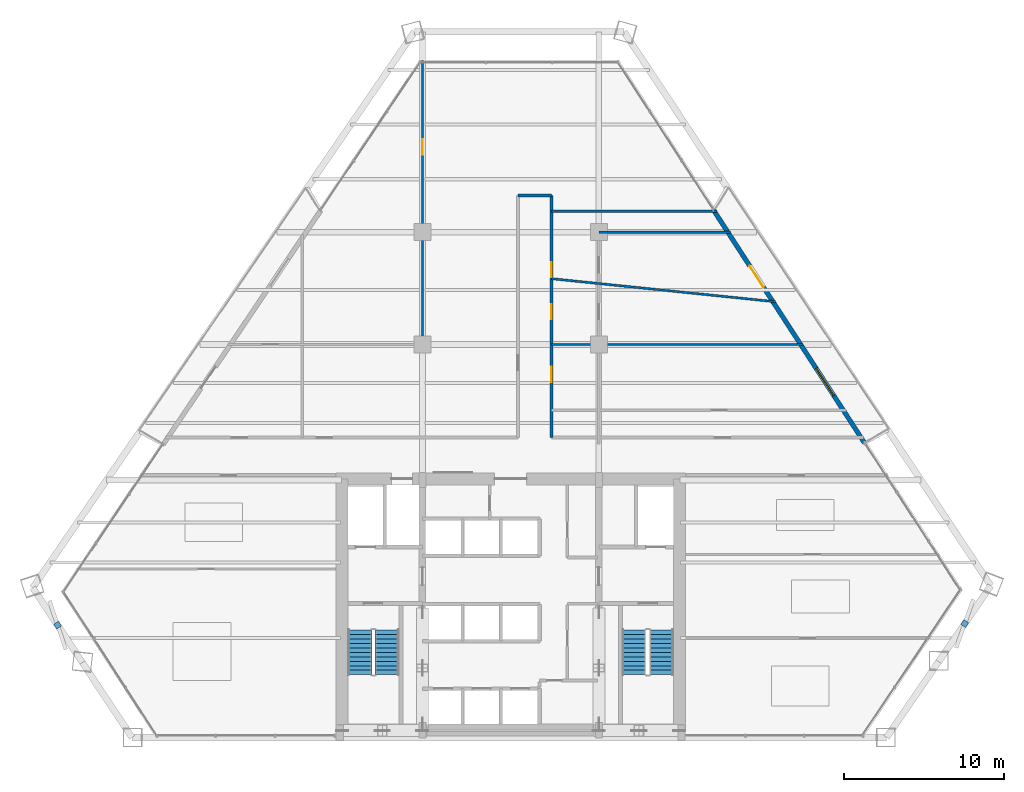
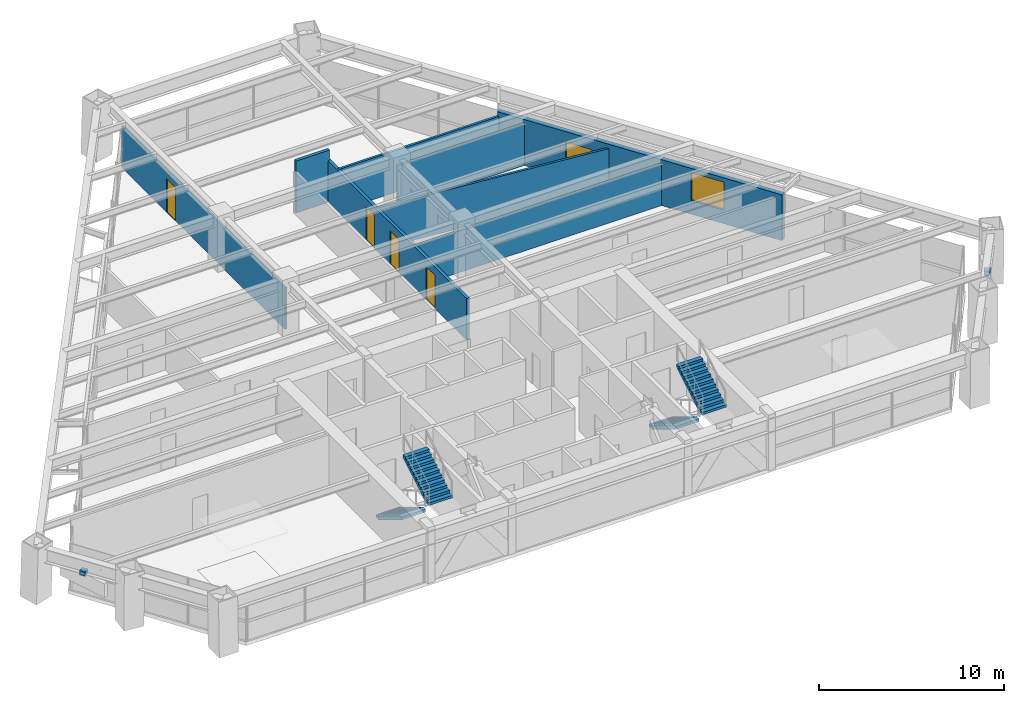
# One storey, part 12 of 14: 8 walls, 5 doors, 4 stair flights, 2 discrete accessories, 1 window, 6 openings, 2 elements without a shape of their own.
"""IFC4 building model written with IfcOpenShell, lengths in metres."""

from ifc_helpers import new_model, si_unit, direction, frame, frame_2d, origin, origin_2d, place, context, subcontext, project, spatial, polyline, rectangle, outline, extrude, source, transform, mapped, material, layer, layer_set, type_object, type_shapes, element, fill, aggregate, save


model = new_model("IFC4")

# Units and contexts
model_context = context("Model", 3, precision=1e-05, world=origin(), true_north=direction((0.0, 1.0)))
body_context = subcontext(model_context, "Body", "Model", "MODEL_VIEW")
ifc_project = project(units=[si_unit("LENGTHUNIT", "METRE"), si_unit("AREAUNIT", "SQUARE_METRE"), si_unit("VOLUMEUNIT", "CUBIC_METRE"), si_unit("PLANEANGLEUNIT", "RADIAN"), si_unit("MASSUNIT", "GRAM", prefix="KILO")], contexts=[model_context])

# Site, building, storey
site_placement = place(None, origin())
site = spatial("IfcSite", under=ifc_project, at=site_placement, CompositionType="ELEMENT")
building_placement = place(site_placement, origin())
building = spatial("IfcBuilding", under=site, at=building_placement, Name="Varnakhor Terracotta Tower", CompositionType="ELEMENT")
storey_placement = place(building_placement, frame((0.0, 0.0, 91.39990234375)))
storey = spatial("IfcBuildingStorey", under=building, at=storey_placement, Name="L22", CompositionType="ELEMENT", Elevation=91.39990234375)

# Wall, openings, doors
ifc_material_1 = material(Name="Fire-Rated Gypsum Stud Partition", Category="gypsum")
ifc_layer_1 = layer(ifc_material_1, 0.18505859375, Name="Fire-Rated Gypsum Stud Partition")
ifc_layer_set_1 = layer_set([ifc_layer_1], Name="Fire-Rated Gypsum Stud Partition")
wall_type_1 = type_object("IfcWallType", Name="WAL-CORR-185", PredefinedType="PARTITIONING", material=ifc_layer_set_1)
wall_1_placement = place(storey_placement, frame((2.550048828125, 18.699951171875, 0.0), z_axis=(0.0, 0.0, 1.0), x_axis=(0.0, 1.0, 0.0)))
wall_1 = element("IfcWall", 1, at=wall_1_placement, inside=storey, type_object=wall_type_1, Name="L22 Spine East Wall", PredefinedType="PARTITIONING", context=body_context, shape_type="SweptSolid", body=[
    extrude(rectangle(XDim=15.10009765625, YDim=0.18505859375, at=frame_2d((7.550048828125, 0.0))), origin(), (0.0, 0.0, 1.0), 2.7470703125),
])
opening_1_placement = place(wall_1_placement, frame((9.97998046875, 0.0, 0.0)))
opening_1 = element("IfcOpeningElement", 2, at=opening_1_placement, cuts=wall_1, Name="Opening DR-94", PredefinedType="OPENING", context=body_context, shape_type="SweptSolid", body=[
    extrude(rectangle(XDim=0.949951171875, YDim=2.199951171875, at=frame_2d((0.47509765625, 1.10009765625))), frame((0.0, 0.1025390625, 0.0), z_axis=(0.0, -1.0, 0.0), x_axis=(1.0, 0.0, 0.0)), (0.0, 0.0, 1.0), 0.205078125),
])
opening_2_placement = place(wall_1_placement, frame((3.446044921875, 0.0, 0.0)))
opening_2 = element("IfcOpeningElement", 3, at=opening_2_placement, cuts=wall_1, Name="Opening DR-94", PredefinedType="OPENING", context=body_context, shape_type="SweptSolid", body=[
    extrude(rectangle(XDim=0.949951171875, YDim=2.199951171875, at=frame_2d((0.47509765625, 1.10009765625))), frame((0.0, 0.1025390625, 0.0), z_axis=(0.0, -1.0, 0.0), x_axis=(1.0, 0.0, 0.0)), (0.0, 0.0, 1.0), 0.205078125),
])
opening_3_placement = place(wall_1_placement, frame((7.3564453125, 0.0, 0.0)))
opening_3 = element("IfcOpeningElement", 4, at=opening_3_placement, cuts=wall_1, Name="Opening DR-94", PredefinedType="OPENING", context=body_context, shape_type="SweptSolid", body=[
    extrude(rectangle(XDim=0.949951171875, YDim=2.199951171875, at=frame_2d((0.47509765625, 1.10009765625))), frame((0.0, 0.1025390625, 0.0), z_axis=(0.0, -1.0, 0.0), x_axis=(1.0, 0.0, 0.0)), (0.0, 0.0, 1.0), 0.205078125),
])
ifc_material_2 = material(Name="Acoustic Glazed-Vision Timber Office Door", Category="wood")
door_type_1 = type_object("IfcDoorType", Name="DR-OFF-950X2200", OperationType="NOTDEFINED", PredefinedType="DOOR", material=ifc_material_2)
shared_shape_1 = source(origin(), body_context, "Body", "SweptSolid", [
    extrude(rectangle(XDim=0.949951171875, YDim=2.199951171875, at=frame_2d((0.47509765625, 1.10009765625))), frame((0.0, 0.02490234375, 0.0), z_axis=(0.0, -1.0, 0.0), x_axis=(1.0, 0.0, 0.0)), (0.0, 0.0, 1.0), 0.050048828125),
])
type_shapes(door_type_1, [shared_shape_1])
door_1_placement = place(opening_1_placement, origin())
door_1 = element("IfcDoor", 5, at=door_1_placement, inside=storey, type_object=door_type_1, Name="L22 Spine East Door", OperationType="SINGLE_SWING_RIGHT", OverallHeight=2.199951171875, OverallWidth=0.949951171875, PredefinedType="DOOR", context=body_context, shape_type="MappedRepresentation", body=[
    mapped(shared_shape_1, transform((0.0, 0.0, 0.0), scale=1.0)),
])
fill(opening_1, door_1)
door_2_placement = place(opening_2_placement, origin())
door_2 = element("IfcDoor", 6, at=door_2_placement, inside=storey, type_object=door_type_1, Name="L22 Advisory Office E2 B10 Door", OperationType="SINGLE_SWING_LEFT", OverallHeight=2.199951171875, OverallWidth=0.949951171875, PredefinedType="DOOR", context=body_context, shape_type="MappedRepresentation", body=[
    mapped(shared_shape_1, transform((0.0, 0.0, 0.0), scale=1.0)),
])
fill(opening_2, door_2)
door_3_placement = place(opening_3_placement, origin())
door_3 = element("IfcDoor", 7, at=door_3_placement, inside=storey, type_object=door_type_1, Name="L22 Boardroom Apex B12 Door", OperationType="SINGLE_SWING_RIGHT", OverallHeight=2.199951171875, OverallWidth=0.949951171875, PredefinedType="DOOR", context=body_context, shape_type="MappedRepresentation", body=[
    mapped(shared_shape_1, transform((0.0, 0.0, 0.0), scale=1.0)),
])
fill(opening_3, door_3)

# Wall
wall_2_placement = place(storey_placement, frame((0.449951171875, 33.800048828125, 0.0), z_axis=(0.0, 0.0, 1.0), x_axis=(1.0, 0.0, 0.0)))
element("IfcWall", 8, at=wall_2_placement, inside=storey, type_object=wall_type_1, Name="L22 Spine North End Wall", PredefinedType="PARTITIONING", context=body_context, shape_type="SweptSolid", body=[
    extrude(rectangle(XDim=2.10009765625, YDim=0.18505859375, at=frame_2d((1.050048828125, 0.0))), origin(), (0.0, 0.0, 1.0), 3.442138671875),
])

# Wall, openings, door, window
ifc_material_3 = material(Name="Extruded Architectural Terracotta Assembly", Category="masonry")
ifc_layer_2 = layer(ifc_material_3, 0.280029296875, Name="Extruded Architectural Terracotta Assembly")
ifc_layer_set_2 = layer_set([ifc_layer_2], Name="Extruded Architectural Terracotta Assembly")
wall_type_2 = type_object("IfcWallType", Name="WAL-EXT-TERRACOTTA-280", PredefinedType="SOLIDWALL", material=ifc_layer_set_2)
wall_3_placement = place(storey_placement, frame((12.64013671875, 32.884521484375, 0.0), z_axis=(0.0, 0.0, 1.0), x_axis=(0.544185470626, -0.838964941794, 0.0)))
wall_3 = element("IfcWall", 9, at=wall_3_placement, inside=storey, type_object=wall_type_2, Name="L22 E Loggia Insulated Terracotta Wall", PredefinedType="SOLIDWALL", context=body_context, shape_type="SweptSolid", body=[
    extrude(rectangle(XDim=17.3095703125, YDim=0.280029296875, at=frame_2d((8.65478515625, 0.0))), origin(), (0.0, 0.0, 1.0), 3.030029296875),
])
opening_4_placement = place(wall_3_placement, frame((4.154296875, 0.0, 0.0)))
opening_4 = element("IfcOpeningElement", 10, at=opening_4_placement, cuts=wall_3, Name="Opening DR-62", PredefinedType="OPENING", context=body_context, shape_type="SweptSolid", body=[
    extrude(rectangle(XDim=1.60009765625, YDim=2.35009765625, at=frame_2d((0.800048828125, 1.175048828125))), frame((0.0, 0.14990234375, 0.0), z_axis=(0.0, -1.0, 0.0), x_axis=(1.0, 0.0, 0.0)), (0.0, 0.0, 1.0), 0.300048828125),
])
opening_5_placement = place(wall_3_placement, frame((11.7705078125, 0.0, 0.89990234375)))
opening_5 = element("IfcOpeningElement", 11, at=opening_5_placement, cuts=wall_3, Name="Opening WN-26", PredefinedType="OPENING", context=body_context, shape_type="SweptSolid", body=[
    extrude(rectangle(XDim=2.0, YDim=1.85009765625, at=frame_2d((1.0, 0.925048828125))), frame((0.0, 0.14990234375, 0.0), z_axis=(0.0, -1.0, 0.0), x_axis=(1.0, 0.0, 0.0)), (0.0, 0.0, 1.0), 0.300048828125),
])
ifc_material_4 = material(Name="Thermally Broken Sliding Glass Loggia Door", Category="glass")
door_type_2 = type_object("IfcDoorType", Name="DR-EXT-LOGGIA-1600X2350", OperationType="NOTDEFINED", PredefinedType="DOOR", material=ifc_material_4)
shared_shape_2 = source(origin(), body_context, "Body", "SweptSolid", [
    extrude(rectangle(XDim=1.60009765625, YDim=2.35009765625, at=frame_2d((0.800048828125, 1.175048828125))), frame((0.0, 0.02490234375, 0.0), z_axis=(0.0, -1.0, 0.0), x_axis=(1.0, 0.0, 0.0)), (0.0, 0.0, 1.0), 0.050048828125),
])
type_shapes(door_type_2, [shared_shape_2])
door_4_placement = place(opening_4_placement, origin())
door_4 = element("IfcDoor", 12, at=door_4_placement, inside=storey, type_object=door_type_2, Name="L22 E Recessed Loggia Sliding Door", OperationType="SLIDING_TO_RIGHT", OverallHeight=2.35009765625, OverallWidth=1.60009765625, PredefinedType="DOOR", context=body_context, shape_type="MappedRepresentation", body=[
    mapped(shared_shape_2, transform((0.0, 0.0, 0.0), scale=1.0)),
])
fill(opening_4, door_4)
ifc_material_5 = material(Name="Solar-Control Low-E Insulated Glass Unit", Category="glass")
window_type = type_object("IfcWindowType", Name="WIN-OFF-2200X2100", PartitioningType="SINGLE_PANEL", PredefinedType="WINDOW", material=ifc_material_5)
shared_shape_3 = source(origin(), body_context, "Body", "SweptSolid", [
    extrude(rectangle(XDim=2.0, YDim=1.85009765625, at=frame_2d((1.0, 0.925048828125))), frame((0.0, 0.030029296875, 0.0), z_axis=(0.0, -1.0, 0.0), x_axis=(1.0, 0.0, 0.0)), (0.0, 0.0, 1.0), 0.06005859375),
])
type_shapes(window_type, [shared_shape_3])
window_placement = place(opening_5_placement, origin())
window = element("IfcWindow", 13, at=window_placement, inside=storey, type_object=window_type, Name="L22 E Facet Punched Window", OverallHeight=1.85009765625, OverallWidth=2.0, PartitioningType="SINGLE_PANEL", PredefinedType="WINDOW", context=body_context, shape_type="MappedRepresentation", body=[
    mapped(shared_shape_3, transform((0.0, 0.0, 0.0), scale=1.0)),
])
fill(opening_5, window)

# Wall, opening, door
ifc_material_6 = material(Name="Acoustic Metal-Stud Partition", Category="gypsum")
ifc_layer_3 = layer(ifc_material_6, 0.139892578125, Name="Acoustic Metal-Stud Partition")
ifc_layer_set_3 = layer_set([ifc_layer_3], Name="Acoustic Metal-Stud Partition")
wall_type_3 = type_object("IfcWallType", Name="WAL-PART-140", PredefinedType="PARTITIONING", material=ifc_layer_set_3)
wall_4_placement = place(storey_placement, frame((-5.5, 24.5, 0.0), z_axis=(0.0, 0.0, 1.0), x_axis=(0.0, 1.0, 0.0)))
wall_4 = element("IfcWall", 14, at=wall_4_placement, inside=storey, type_object=wall_type_3, Name="L22 West Upper Column Wall", PredefinedType="PARTITIONING", context=body_context, shape_type="SweptSolid", body=[
    extrude(rectangle(XDim=17.69189453125, YDim=0.139892578125, at=frame_2d((8.845947265625, 0.0))), origin(), (0.0, 0.0, 1.0), 2.7470703125),
])
opening_6_placement = place(wall_4_placement, frame((11.836669921875, 0.0, 0.0)))
opening_6 = element("IfcOpeningElement", 15, at=opening_6_placement, cuts=wall_4, Name="Opening DR-94", PredefinedType="OPENING", context=body_context, shape_type="SweptSolid", body=[
    extrude(rectangle(XDim=0.949951171875, YDim=2.199951171875, at=frame_2d((0.47509765625, 1.10009765625))), frame((0.0, 0.080078125, 0.0), z_axis=(0.0, -1.0, 0.0), x_axis=(1.0, 0.0, 0.0)), (0.0, 0.0, 1.0), 0.159912109375),
])
door_5_placement = place(opening_6_placement, origin())
door_5 = element("IfcDoor", 16, at=door_5_placement, inside=storey, type_object=door_type_1, Name="L22 Client Lounge Door", OperationType="SINGLE_SWING_RIGHT", OverallHeight=2.199951171875, OverallWidth=0.949951171875, PredefinedType="DOOR", context=body_context, shape_type="MappedRepresentation", body=[
    mapped(shared_shape_1, transform((0.0, 0.0, 0.0), scale=1.0)),
])
fill(opening_6, door_5)

# Walls
wall_5_placement = place(storey_placement, frame((5.5, 31.5, 0.0), z_axis=(0.0, 0.0, 1.0), x_axis=(1.0, 0.0, 0.0)))
element("IfcWall", 17, at=wall_5_placement, inside=storey, type_object=wall_type_3, Name="L22 North East Column Wall", PredefinedType="PARTITIONING", context=body_context, shape_type="SweptSolid", body=[
    extrude(rectangle(XDim=8.193115234375, YDim=0.139892578125, at=frame_2d((4.0966796875, 0.0))), origin(), (0.0, 0.0, 1.0), 2.7470703125),
])
wall_6_placement = place(storey_placement, frame((2.550048828125, 24.5, 0.0), z_axis=(0.0, 0.0, 1.0), x_axis=(1.0, 0.0, 0.0)))
element("IfcWall", 18, at=wall_6_placement, inside=storey, type_object=wall_type_3, Name="L22 East Wing Cut 2", PredefinedType="PARTITIONING", context=body_context, shape_type="SweptSolid", body=[
    extrude(rectangle(XDim=15.683349609375, YDim=0.139892578125, at=frame_2d((7.841796875, 0.0))), origin(), (0.0, 0.0, 1.0), 2.7470703125),
])
wall_7_placement = place(storey_placement, frame((2.550048828125, 28.60009765625, 0.0), z_axis=(0.0, 0.0, 1.0), x_axis=(0.994737328003, -0.10245803179, 0.0)))
element("IfcWall", 19, at=wall_7_placement, inside=storey, type_object=wall_type_3, Name="L22 East Wing Cut 3", PredefinedType="PARTITIONING", context=body_context, shape_type="SweptSolid", body=[
    extrude(rectangle(XDim=14.030029296875, YDim=0.139892578125, at=frame_2d((7.01513671875, 0.0))), origin(), (0.0, 0.0, 1.0), 2.7470703125),
])
wall_8_placement = place(storey_placement, frame((2.550048828125, 32.800048828125, 0.0), z_axis=(0.0, 0.0, 1.0), x_axis=(1.0, 0.0, 0.0)))
element("IfcWall", 20, at=wall_8_placement, inside=storey, type_object=wall_type_3, Name="L22 East Wing Cut 4", PredefinedType="PARTITIONING", context=body_context, shape_type="SweptSolid", body=[
    extrude(rectangle(XDim=10.2998046875, YDim=0.139892578125, at=frame_2d((5.14990234375, 0.0))), origin(), (0.0, 0.0, 1.0), 2.7470703125),
])

# Stair, stair flights
ifc_material_7 = material(Name="Concrete C40/50", Category="concrete")
stair_type = type_object("IfcStairType", Name="STR-CORE-OFFICE-1500", PredefinedType="HALF_TURN_STAIR", material=ifc_material_7)
stair_1_placement = place(storey_placement, origin())
stair_1 = element("IfcStair", 21, at=stair_1_placement, inside=storey, type_object=stair_type, Name="L22 Core Exit Stair ST-1", PredefinedType="HALF_TURN_STAIR")
stair_flight_type = type_object("IfcStairFlightType", Name="FLT-CORE-1500", PredefinedType="STRAIGHT", material=ifc_material_7)
stair_flight_1_placement = place(storey_placement, frame((-9.39990234375, 6.7099609375, 0.0), z_axis=(0.0, 0.0, 1.0), x_axis=(0.0, -1.0, 0.0)))
stair_flight_1 = element("IfcStairFlight", 22, at=stair_flight_1_placement, type_object=stair_flight_type, Name="ST-1 flight 1", NumberOfRisers=11, NumberOfTreads=10, PredefinedType="STRAIGHT", RiserHeight=0.168181818, TreadLength=0.28, context=body_context, shape_type="SweptSolid", body=[
    extrude(outline(polyline([(0.0, 0.0), (0.0, 0.168212890625), (0.280029296875, 0.168212890625), (0.280029296875, 0.33642578125), (0.56005859375, 0.33642578125), (0.56005859375, 0.504638671875), (0.840087890625, 0.504638671875), (0.840087890625, 0.672607421875), (1.1201171875, 0.672607421875), (1.1201171875, 0.8408203125), (1.39990234375, 0.8408203125), (1.39990234375, 1.009033203125), (1.679931640625, 1.009033203125), (1.679931640625, 1.17724609375), (1.9599609375, 1.17724609375), (1.9599609375, 1.345458984375), (2.239990234375, 1.345458984375), (2.239990234375, 1.513671875), (2.52001953125, 1.513671875), (2.52001953125, 1.681884765625), (2.800048828125, 1.681884765625), (2.800048828125, 1.85009765625), (2.800048828125, 1.495361328125), (0.310546875, 0.0), (0.0, 0.0)])), frame((0.0, 0.75, 0.0), z_axis=(0.0, -1.0, 0.0), x_axis=(1.0, 0.0, 0.0)), (0.0, 0.0, 1.0), 1.5),
])
stair_flight_2_placement = place(storey_placement, frame((-7.699951171875, 3.909912109375, 1.85009765625), z_axis=(0.0, 0.0, 1.0), x_axis=(0.0, 1.0, 0.0)))
stair_flight_2 = element("IfcStairFlight", 23, at=stair_flight_2_placement, type_object=stair_flight_type, Name="ST-1 flight 2", NumberOfRisers=11, NumberOfTreads=10, PredefinedType="STRAIGHT", RiserHeight=0.168181818, TreadLength=0.28, context=body_context, shape_type="SweptSolid", body=[
    extrude(outline(polyline([(0.0, 0.0), (0.0, 0.168212890625), (0.280029296875, 0.168212890625), (0.280029296875, 0.33642578125), (0.56005859375, 0.33642578125), (0.56005859375, 0.504638671875), (0.840087890625, 0.504638671875), (0.840087890625, 0.672607421875), (1.1201171875, 0.672607421875), (1.1201171875, 0.8408203125), (1.39990234375, 0.8408203125), (1.39990234375, 1.009033203125), (1.679931640625, 1.009033203125), (1.679931640625, 1.17724609375), (1.9599609375, 1.17724609375), (1.9599609375, 1.345458984375), (2.239990234375, 1.345458984375), (2.239990234375, 1.513671875), (2.52001953125, 1.513671875), (2.52001953125, 1.681884765625), (2.800048828125, 1.681884765625), (2.800048828125, 1.85009765625), (2.800048828125, 1.495361328125), (0.310546875, 0.0), (0.0, 0.0)])), frame((0.0, 0.75, 0.0), z_axis=(0.0, -1.0, 0.0), x_axis=(1.0, 0.0, 0.0)), (0.0, 0.0, 1.0), 1.5),
])
aggregate(stair_1, [stair_flight_1, stair_flight_2])

stair_2_placement = place(storey_placement, origin())
stair_2 = element("IfcStair", 24, at=stair_2_placement, inside=storey, type_object=stair_type, Name="L22 Core Exit Stair ST-2", PredefinedType="HALF_TURN_STAIR")
stair_flight_3_placement = place(storey_placement, frame((7.699951171875, 6.7099609375, 0.0), z_axis=(0.0, 0.0, 1.0), x_axis=(0.0, -1.0, 0.0)))
stair_flight_3 = element("IfcStairFlight", 25, at=stair_flight_3_placement, type_object=stair_flight_type, Name="ST-2 flight 1", NumberOfRisers=11, NumberOfTreads=10, PredefinedType="STRAIGHT", RiserHeight=0.168181818, TreadLength=0.28, context=body_context, shape_type="SweptSolid", body=[
    extrude(outline(polyline([(0.0, 0.0), (0.0, 0.168212890625), (0.280029296875, 0.168212890625), (0.280029296875, 0.33642578125), (0.56005859375, 0.33642578125), (0.56005859375, 0.504638671875), (0.840087890625, 0.504638671875), (0.840087890625, 0.672607421875), (1.1201171875, 0.672607421875), (1.1201171875, 0.8408203125), (1.39990234375, 0.8408203125), (1.39990234375, 1.009033203125), (1.679931640625, 1.009033203125), (1.679931640625, 1.17724609375), (1.9599609375, 1.17724609375), (1.9599609375, 1.345458984375), (2.239990234375, 1.345458984375), (2.239990234375, 1.513671875), (2.52001953125, 1.513671875), (2.52001953125, 1.681884765625), (2.800048828125, 1.681884765625), (2.800048828125, 1.85009765625), (2.800048828125, 1.495361328125), (0.310546875, 0.0), (0.0, 0.0)])), frame((0.0, 0.75, 0.0), z_axis=(0.0, -1.0, 0.0), x_axis=(1.0, 0.0, 0.0)), (0.0, 0.0, 1.0), 1.5),
])
stair_flight_4_placement = place(storey_placement, frame((9.39990234375, 3.909912109375, 1.85009765625), z_axis=(0.0, 0.0, 1.0), x_axis=(0.0, 1.0, 0.0)))
stair_flight_4 = element("IfcStairFlight", 26, at=stair_flight_4_placement, type_object=stair_flight_type, Name="ST-2 flight 2", NumberOfRisers=11, NumberOfTreads=10, PredefinedType="STRAIGHT", RiserHeight=0.168181818, TreadLength=0.28, context=body_context, shape_type="SweptSolid", body=[
    extrude(outline(polyline([(0.0, 0.0), (0.0, 0.168212890625), (0.280029296875, 0.168212890625), (0.280029296875, 0.33642578125), (0.56005859375, 0.33642578125), (0.56005859375, 0.504638671875), (0.840087890625, 0.504638671875), (0.840087890625, 0.672607421875), (1.1201171875, 0.672607421875), (1.1201171875, 0.8408203125), (1.39990234375, 0.8408203125), (1.39990234375, 1.009033203125), (1.679931640625, 1.009033203125), (1.679931640625, 1.17724609375), (1.9599609375, 1.17724609375), (1.9599609375, 1.345458984375), (2.239990234375, 1.345458984375), (2.239990234375, 1.513671875), (2.52001953125, 1.513671875), (2.52001953125, 1.681884765625), (2.800048828125, 1.681884765625), (2.800048828125, 1.85009765625), (2.800048828125, 1.495361328125), (0.310546875, 0.0), (0.0, 0.0)])), frame((0.0, 0.75, 0.0), z_axis=(0.0, -1.0, 0.0), x_axis=(1.0, 0.0, 0.0)), (0.0, 0.0, 1.0), 1.5),
])
aggregate(stair_2, [stair_flight_3, stair_flight_4])

# Discrete accessories
ifc_material_8 = material(Name="Stainless Steel Fixing Bracket", Category="steel")
discrete_accessory_type = type_object("IfcDiscreteAccessoryType", Name="BRACKET-TERRACOTTA-SCREEN", PredefinedType="BRACKET", material=ifc_material_8)
shared_shape_4 = source(origin(), body_context, "Body", "SweptSolid", [
    extrude(rectangle(XDim=0.35009765625, YDim=0.35009765625, at=origin_2d()), origin(), (0.0, 0.0, 1.0), 0.280029296875),
])
type_shapes(discrete_accessory_type, [shared_shape_4])
for number, where, z_axis, x_axis, name in (
    (27, (28.309326171875, 7.096435546875, 2.39306640625), (0.0, 0.0, 1.0), (0.566003425274, 0.824402888507, 0.0), "L22 E Screen Fixing Bracket"),
    (28, (-28.243896484375, 7.002685546875, 2.39306640625), (0.0, 0.0, 1.0), (0.55221348197, -0.833702746985, 0.0), "L22 W Screen Fixing Bracket"),
):
    element("IfcDiscreteAccessory", number, at=place(storey_placement, frame(where, z_axis=z_axis, x_axis=x_axis)), inside=storey, type_object=discrete_accessory_type, Name=name, PredefinedType="BRACKET", context=body_context, shape_type="MappedRepresentation", body=[
        mapped(shared_shape_4, transform((0.0, 0.0, 0.0), scale=1.0)),
    ])

save(model, "model.ifc")
